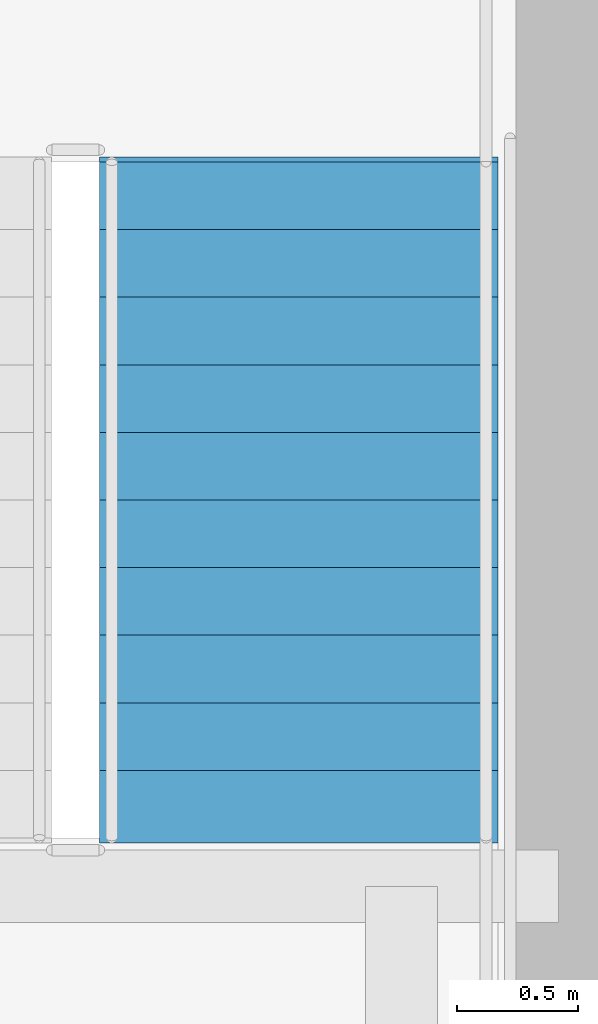
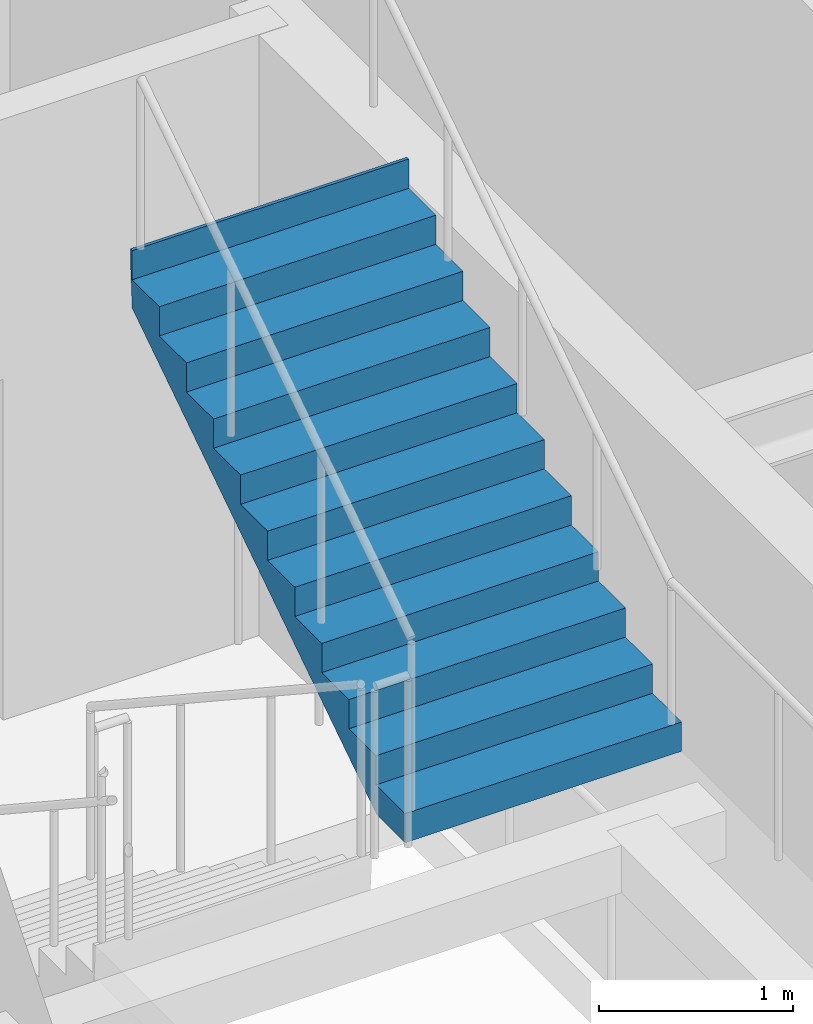
# One storey, part 36 of 41: 1 stair flight, 1 element without a shape of its own.
"""IFC4 building model written with IfcOpenShell, lengths in metres."""

from ifc_helpers import new_model, si_unit, direction, frame, origin, place, context, subcontext, project, spatial, polygons, material, type_object, element, aggregate, save


model = new_model("IFC4")

# Units and contexts
model_context = context("Model", 3, precision=1e-05, world=origin(), true_north=direction((0.0, 1.0)))
body_context = subcontext(model_context, "Body", "Model", "MODEL_VIEW")
ifc_project = project(units=[si_unit("LENGTHUNIT", "METRE"), si_unit("AREAUNIT", "SQUARE_METRE"), si_unit("VOLUMEUNIT", "CUBIC_METRE"), si_unit("PLANEANGLEUNIT", "RADIAN"), si_unit("MASSUNIT", "GRAM", prefix="KILO")], contexts=[model_context])

# Site, building, storey
site_placement = place(None, origin())
site = spatial("IfcSite", under=ifc_project, at=site_placement, CompositionType="ELEMENT")
building_placement = place(site_placement, origin())
building = spatial("IfcBuilding", under=site, at=building_placement, Name="Serunith Strait Residences", CompositionType="ELEMENT")
storey_placement = place(building_placement, frame((0.0, 0.0, 301.550048828125)))
storey = spatial("IfcBuildingStorey", under=building, at=storey_placement, Name="L75", CompositionType="ELEMENT", Elevation=301.550048828125)

# Stair, stair flight
ifc_material = material(Name="Concrete C50/60", Category="concrete")
stair_type = type_object("IfcStairType", Name="STR-CORE-2", PredefinedType="HALF_TURN_STAIR", material=ifc_material)
stair_placement = place(storey_placement, origin())
stair = element("IfcStair", 1, at=stair_placement, inside=storey, type_object=stair_type, Name="L75 Protected Escape Stair ST-2", PredefinedType="HALF_TURN_STAIR")
stair_flight_type = type_object("IfcStairFlightType", Name="FLT-CORE-2", PredefinedType="STRAIGHT", material=ifc_material)
stair_flight_placement = place(storey_placement, frame((40.324951171875, 20.570068359375, 2.02490234375), z_axis=(0.0, 0.0, 1.0), x_axis=(0.0, 1.0, 0.0)))
stair_flight = element("IfcStairFlight", 2, at=stair_flight_placement, type_object=stair_flight_type, Name="ST-2 flight 2", NumberOfRisers=11, NumberOfTreads=10, PredefinedType="STRAIGHT", RiserHeight=0.184090909, TreadLength=0.28, context=body_context, shape_type="Tessellation", body=[
    polygons([(-0.02001953125, -0.824951171875, 0.0), (-0.02001953125, -0.824951171875, 0.18408203125), (0.280029296875, -0.824951171875, 0.18408203125), (0.280029296875, -0.824951171875, 0.3681640625), (0.56005859375, -0.824951171875, 0.3681640625), (0.56005859375, -0.824951171875, 0.55224609375), (0.840087890625, -0.824951171875, 0.55224609375), (0.840087890625, -0.824951171875, 0.736328125), (1.1201171875, -0.824951171875, 0.736328125), (1.1201171875, -0.824951171875, 0.92041015625), (1.39990234375, -0.824951171875, 0.92041015625), (1.39990234375, -0.824951171875, 1.1044921875), (1.679931640625, -0.824951171875, 1.1044921875), (1.679931640625, -0.824951171875, 1.28857421875), (1.9599609375, -0.824951171875, 1.28857421875), (1.9599609375, -0.824951171875, 1.47265625), (2.239990234375, -0.824951171875, 1.47265625), (2.239990234375, -0.824951171875, 1.65673828125), (2.52001953125, -0.824951171875, 1.65673828125), (2.52001953125, -0.824951171875, 1.8408203125), (2.800048828125, -0.824951171875, 1.8408203125), (2.800048828125, -0.824951171875, 2.02490234375), (2.820068359375, -0.824951171875, 2.02490234375), (2.820068359375, -0.824951171875, 1.965087890625), (2.800048828125, -0.824951171875, 1.66162109375), (0.27294921875, -0.824951171875, 0.0), (-0.02001953125, -0.41259765625, 0.0), (-0.02001953125, -0.41259765625, 0.18408203125), (0.280029296875, -0.41259765625, 0.18408203125), (0.280029296875, -0.41259765625, 0.3681640625), (0.56005859375, -0.41259765625, 0.3681640625), (0.56005859375, -0.41259765625, 0.55224609375), (0.840087890625, -0.41259765625, 0.55224609375), (0.840087890625, -0.41259765625, 0.736328125), (1.1201171875, -0.41259765625, 0.736328125), (1.1201171875, -0.41259765625, 0.92041015625), (1.39990234375, -0.41259765625, 0.92041015625), (1.39990234375, -0.41259765625, 1.1044921875), (1.679931640625, -0.41259765625, 1.1044921875), (1.679931640625, -0.41259765625, 1.28857421875), (1.9599609375, -0.41259765625, 1.28857421875), (1.9599609375, -0.41259765625, 1.47265625), (2.239990234375, -0.41259765625, 1.47265625), (2.239990234375, -0.41259765625, 1.65673828125), (2.52001953125, -0.41259765625, 1.65673828125), (2.52001953125, -0.41259765625, 1.8408203125), (2.800048828125, -0.41259765625, 1.8408203125), (2.800048828125, -0.41259765625, 2.02490234375), (2.820068359375, -0.41259765625, 2.02490234375), (2.820068359375, -0.41259765625, 1.965087890625), (2.800048828125, -0.41259765625, 1.66162109375), (0.27294921875, -0.41259765625, 0.0), (-0.02001953125, 0.0, 0.0), (-0.02001953125, 0.0, 0.18408203125), (0.280029296875, 0.0, 0.18408203125), (0.280029296875, 0.0, 0.3681640625), (0.56005859375, 0.0, 0.3681640625), (0.56005859375, 0.0, 0.55224609375), (0.840087890625, 0.0, 0.55224609375), (0.840087890625, 0.0, 0.736328125), (1.1201171875, 0.0, 0.736328125), (1.1201171875, 0.0, 0.92041015625), (1.39990234375, 0.0, 0.92041015625), (1.39990234375, 0.0, 1.1044921875), (1.679931640625, 0.0, 1.1044921875), (1.679931640625, 0.0, 1.28857421875), (1.9599609375, 0.0, 1.28857421875), (1.9599609375, 0.0, 1.47265625), (2.239990234375, 0.0, 1.47265625), (2.239990234375, 0.0, 1.65673828125), (2.52001953125, 0.0, 1.65673828125), (2.52001953125, 0.0, 1.8408203125), (2.800048828125, 0.0, 1.8408203125), (2.800048828125, 0.0, 2.02490234375), (2.820068359375, 0.0, 2.02490234375), (2.820068359375, 0.0, 1.965087890625), (2.800048828125, 0.0, 1.66162109375), (0.27294921875, 0.0, 0.0), (-0.02001953125, 0.41259765625, 0.0), (-0.02001953125, 0.41259765625, 0.18408203125), (0.280029296875, 0.41259765625, 0.18408203125), (0.280029296875, 0.41259765625, 0.3681640625), (0.56005859375, 0.41259765625, 0.3681640625), (0.56005859375, 0.41259765625, 0.55224609375), (0.840087890625, 0.41259765625, 0.55224609375), (0.840087890625, 0.41259765625, 0.736328125), (1.1201171875, 0.41259765625, 0.736328125), (1.1201171875, 0.41259765625, 0.92041015625), (1.39990234375, 0.41259765625, 0.92041015625), (1.39990234375, 0.41259765625, 1.1044921875), (1.679931640625, 0.41259765625, 1.1044921875), (1.679931640625, 0.41259765625, 1.28857421875), (1.9599609375, 0.41259765625, 1.28857421875), (1.9599609375, 0.41259765625, 1.47265625), (2.239990234375, 0.41259765625, 1.47265625), (2.239990234375, 0.41259765625, 1.65673828125), (2.52001953125, 0.41259765625, 1.65673828125), (2.52001953125, 0.41259765625, 1.8408203125), (2.800048828125, 0.41259765625, 1.8408203125), (2.800048828125, 0.41259765625, 2.02490234375), (2.820068359375, 0.41259765625, 2.02490234375), (2.820068359375, 0.41259765625, 1.965087890625), (2.800048828125, 0.41259765625, 1.66162109375), (0.27294921875, 0.41259765625, 0.0), (-0.02001953125, 0.824951171875, 0.0), (-0.02001953125, 0.824951171875, 0.18408203125), (0.280029296875, 0.824951171875, 0.18408203125), (0.280029296875, 0.824951171875, 0.3681640625), (0.56005859375, 0.824951171875, 0.3681640625), (0.56005859375, 0.824951171875, 0.55224609375), (0.840087890625, 0.824951171875, 0.55224609375), (0.840087890625, 0.824951171875, 0.736328125), (1.1201171875, 0.824951171875, 0.736328125), (1.1201171875, 0.824951171875, 0.92041015625), (1.39990234375, 0.824951171875, 0.92041015625), (1.39990234375, 0.824951171875, 1.1044921875), (1.679931640625, 0.824951171875, 1.1044921875), (1.679931640625, 0.824951171875, 1.28857421875), (1.9599609375, 0.824951171875, 1.28857421875), (1.9599609375, 0.824951171875, 1.47265625), (2.239990234375, 0.824951171875, 1.47265625), (2.239990234375, 0.824951171875, 1.65673828125), (2.52001953125, 0.824951171875, 1.65673828125), (2.52001953125, 0.824951171875, 1.8408203125), (2.800048828125, 0.824951171875, 1.8408203125), (2.800048828125, 0.824951171875, 2.02490234375), (2.820068359375, 0.824951171875, 2.02490234375), (2.820068359375, 0.824951171875, 1.965087890625), (2.800048828125, 0.824951171875, 1.66162109375), (0.27294921875, 0.824951171875, 0.0)], [[[1, 2, 28, 27]], [[2, 3, 29, 28]], [[3, 4, 30, 29]], [[4, 5, 31, 30]], [[5, 6, 32, 31]], [[6, 7, 33, 32]], [[7, 8, 34, 33]], [[8, 9, 35, 34]], [[9, 10, 36, 35]], [[10, 11, 37, 36]], [[11, 12, 38, 37]], [[12, 13, 39, 38]], [[13, 14, 40, 39]], [[14, 15, 41, 40]], [[15, 16, 42, 41]], [[16, 17, 43, 42]], [[17, 18, 44, 43]], [[18, 19, 45, 44]], [[19, 20, 46, 45]], [[20, 21, 47, 46]], [[21, 22, 48, 47]], [[22, 23, 49, 48]], [[23, 24, 50, 49]], [[24, 25, 51, 50]], [[25, 26, 52, 51]], [[26, 1, 27, 52]], [[27, 28, 54, 53]], [[28, 29, 55, 54]], [[29, 30, 56, 55]], [[30, 31, 57, 56]], [[31, 32, 58, 57]], [[32, 33, 59, 58]], [[33, 34, 60, 59]], [[34, 35, 61, 60]], [[35, 36, 62, 61]], [[36, 37, 63, 62]], [[37, 38, 64, 63]], [[38, 39, 65, 64]], [[39, 40, 66, 65]], [[40, 41, 67, 66]], [[41, 42, 68, 67]], [[42, 43, 69, 68]], [[43, 44, 70, 69]], [[44, 45, 71, 70]], [[45, 46, 72, 71]], [[46, 47, 73, 72]], [[47, 48, 74, 73]], [[48, 49, 75, 74]], [[49, 50, 76, 75]], [[50, 51, 77, 76]], [[51, 52, 78, 77]], [[52, 27, 53, 78]], [[53, 54, 80, 79]], [[54, 55, 81, 80]], [[55, 56, 82, 81]], [[56, 57, 83, 82]], [[57, 58, 84, 83]], [[58, 59, 85, 84]], [[59, 60, 86, 85]], [[60, 61, 87, 86]], [[61, 62, 88, 87]], [[62, 63, 89, 88]], [[63, 64, 90, 89]], [[64, 65, 91, 90]], [[65, 66, 92, 91]], [[66, 67, 93, 92]], [[67, 68, 94, 93]], [[68, 69, 95, 94]], [[69, 70, 96, 95]], [[70, 71, 97, 96]], [[71, 72, 98, 97]], [[72, 73, 99, 98]], [[73, 74, 100, 99]], [[74, 75, 101, 100]], [[75, 76, 102, 101]], [[76, 77, 103, 102]], [[77, 78, 104, 103]], [[78, 53, 79, 104]], [[79, 80, 106, 105]], [[80, 81, 107, 106]], [[81, 82, 108, 107]], [[82, 83, 109, 108]], [[83, 84, 110, 109]], [[84, 85, 111, 110]], [[85, 86, 112, 111]], [[86, 87, 113, 112]], [[87, 88, 114, 113]], [[88, 89, 115, 114]], [[89, 90, 116, 115]], [[90, 91, 117, 116]], [[91, 92, 118, 117]], [[92, 93, 119, 118]], [[93, 94, 120, 119]], [[94, 95, 121, 120]], [[95, 96, 122, 121]], [[96, 97, 123, 122]], [[97, 98, 124, 123]], [[98, 99, 125, 124]], [[99, 100, 126, 125]], [[100, 101, 127, 126]], [[101, 102, 128, 127]], [[102, 103, 129, 128]], [[103, 104, 130, 129]], [[104, 79, 105, 130]], [[26, 25, 24, 23, 22, 21, 20, 19, 18, 17, 16, 15, 14, 13, 12, 11, 10, 9, 8, 7, 6, 5, 4, 3, 2, 1]], [[105, 106, 107, 108, 109, 110, 111, 112, 113, 114, 115, 116, 117, 118, 119, 120, 121, 122, 123, 124, 125, 126, 127, 128, 129, 130]]], closed=True),
])
aggregate(stair, [stair_flight])

save(model, "model.ifc")
